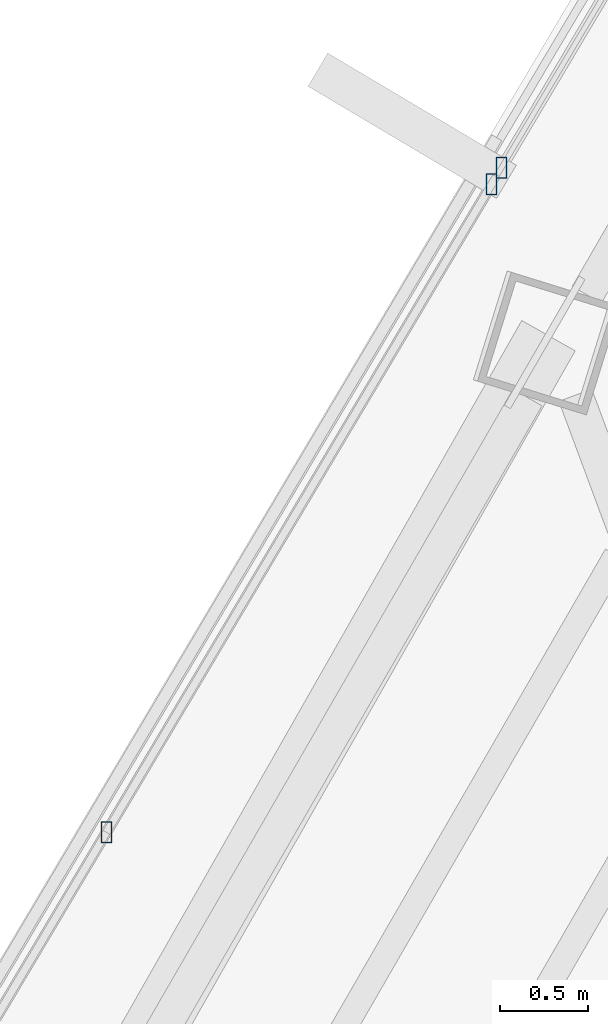
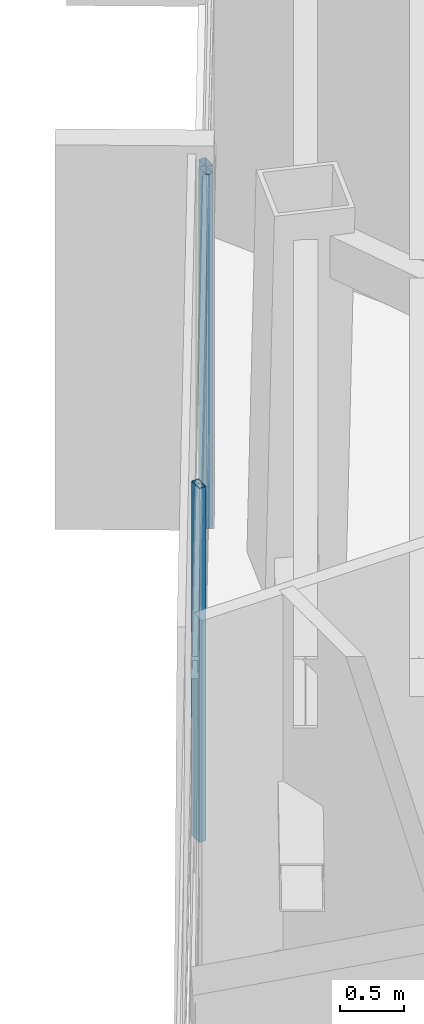
# One storey, part 17 of 42: 3 members, 2 elements without a shape of their own.
"""IFC4 building model written with IfcOpenShell, lengths in metres."""

from ifc_helpers import new_model, si_unit, direction, frame, origin, origin_2d, place, context, subcontext, project, spatial, hollow_rectangle, extrude, source, transform, mapped, material, material_profile, profile_set, type_object, type_shapes, element, aggregate, save


model = new_model("IFC4")

# Units and contexts
model_context = context("Model", 3, precision=1e-05, world=origin(), true_north=direction((0.0, 1.0)))
body_context = subcontext(model_context, "Body", "Model", "MODEL_VIEW")
ifc_project = project(units=[si_unit("LENGTHUNIT", "METRE"), si_unit("AREAUNIT", "SQUARE_METRE"), si_unit("VOLUMEUNIT", "CUBIC_METRE"), si_unit("PLANEANGLEUNIT", "RADIAN"), si_unit("MASSUNIT", "GRAM", prefix="KILO")], contexts=[model_context])

# Site, building, storey
site_placement = place(None, origin())
site = spatial("IfcSite", under=ifc_project, at=site_placement, CompositionType="ELEMENT")
building_placement = place(site_placement, origin())
building = spatial("IfcBuilding", under=site, at=building_placement, Name="Caelisora Broadcast Tower", CompositionType="ELEMENT")
storey_placement = place(building_placement, frame((0.0, 0.0, 244.449951171875)))
storey = spatial("IfcBuildingStorey", under=building, at=storey_placement, Name="L64", CompositionType="ELEMENT", Elevation=244.449951171875)

# Curtain wall, members
ifc_material_1 = material(Name="Unitised Aluminium Insulated Shadow-Box Spandrel Curtain Wall", Category="aluminium")
curtain_wall_type_1 = type_object("IfcCurtainWallType", Name="CW-SP3", PredefinedType="NOTDEFINED", material=ifc_material_1)
curtain_wall_1_placement = place(storey_placement, origin())
curtain_wall_1 = element("IfcCurtainWall", 1, at=curtain_wall_1_placement, inside=storey, type_object=curtain_wall_type_1, Name="L64 curtain wall CW-SP3", PredefinedType="NOTDEFINED")
ifc_material_2 = material(Name="Aluminium 6063-T6 Anodised Terracotta Bronze", Category="aluminium")
ifc_material_profile = material_profile(ifc_material_2, hollow_rectangle(XDim=0.06005859375, YDim=0.1201171875, WallThickness=0.0029296875, at=origin_2d()), Name="Aluminium 6063-T6 Anodised Terracotta Bronze")
ifc_profile_set = profile_set([ifc_material_profile], Name="Aluminium 6063-T6 Anodised Terracotta Bronze")
member_type = type_object("IfcMemberType", Name="CWM-04", PredefinedType="MULLION", material=ifc_profile_set)
shared_shape = source(origin(), body_context, "Body", "SweptSolid", [
    extrude(hollow_rectangle(XDim=0.06005859375, YDim=0.1201171875, WallThickness=0.0029296875, at=origin_2d()), origin(), (0.0, 0.0, 1.0), 3.400146484375),
])
type_shapes(member_type, [shared_shape])
member_1_placement = place(storey_placement, frame((25.51953125, 33.726806640625, 0.0), z_axis=(0.0, 0.0, 1.0), x_axis=(1.0, 0.0, 0.0)))
member_1 = element("IfcMember", 2, at=member_1_placement, type_object=member_type, Name="L64-CW-B10 mullion #2", PredefinedType="MULLION", context=body_context, shape_type="MappedRepresentation", body=[
    mapped(shared_shape, transform((0.0, 0.0, 0.0), scale=1.0)),
])
member_2_placement = place(storey_placement, frame((27.715576171875, 37.42041015625, 0.0), z_axis=(0.0, 0.0, 1.0), x_axis=(1.0, 0.0, 0.0)))
member_2 = element("IfcMember", 3, at=member_2_placement, type_object=member_type, Name="L64-CW-B10 mullion #3", PredefinedType="MULLION", context=body_context, shape_type="MappedRepresentation", body=[
    mapped(shared_shape, transform((0.0, 0.0, 0.0), scale=1.0)),
])
aggregate(curtain_wall_1, [member_1, member_2])

# Curtain wall, member
ifc_material_3 = material(Name="Unitised Aluminium and Low-E Glass Curtain Wall", Category="glass")
curtain_wall_type_2 = type_object("IfcCurtainWallType", Name="CW-Z5", PredefinedType="NOTDEFINED", material=ifc_material_3)
curtain_wall_2_placement = place(storey_placement, origin())
curtain_wall_2 = element("IfcCurtainWall", 4, at=curtain_wall_2_placement, inside=storey, type_object=curtain_wall_type_2, Name="L64 curtain wall CW-Z5", PredefinedType="NOTDEFINED")
member_3_placement = place(storey_placement, frame((27.771728515625, 37.514892578125, 0.0), z_axis=(0.0, 0.0, 1.0), x_axis=(1.0, 0.0, 0.0)))
member_3 = element("IfcMember", 5, at=member_3_placement, type_object=member_type, Name="L64-CW-B11 mullion #0", PredefinedType="MULLION", context=body_context, shape_type="MappedRepresentation", body=[
    mapped(shared_shape, transform((0.0, 0.0, 0.0), scale=1.0)),
])
aggregate(curtain_wall_2, [member_3])

save(model, "model.ifc")
